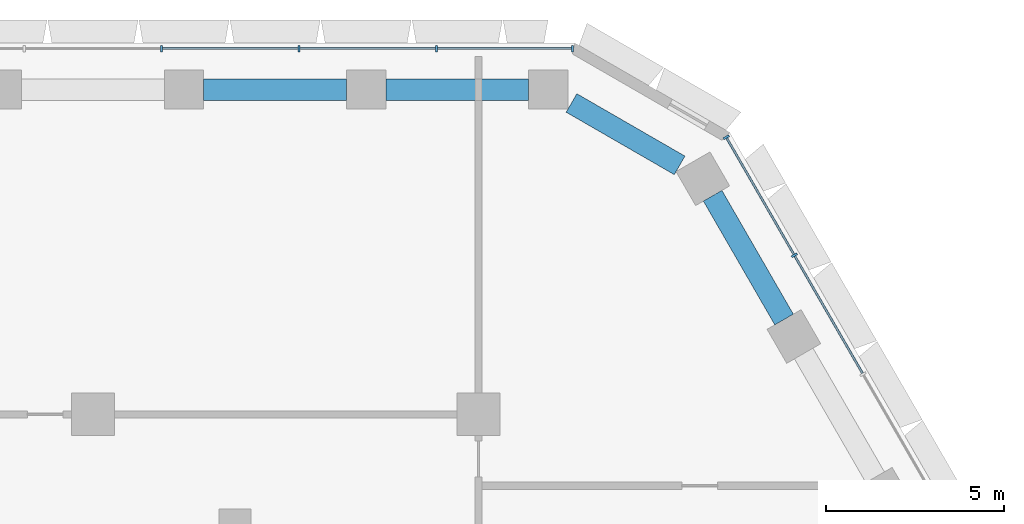
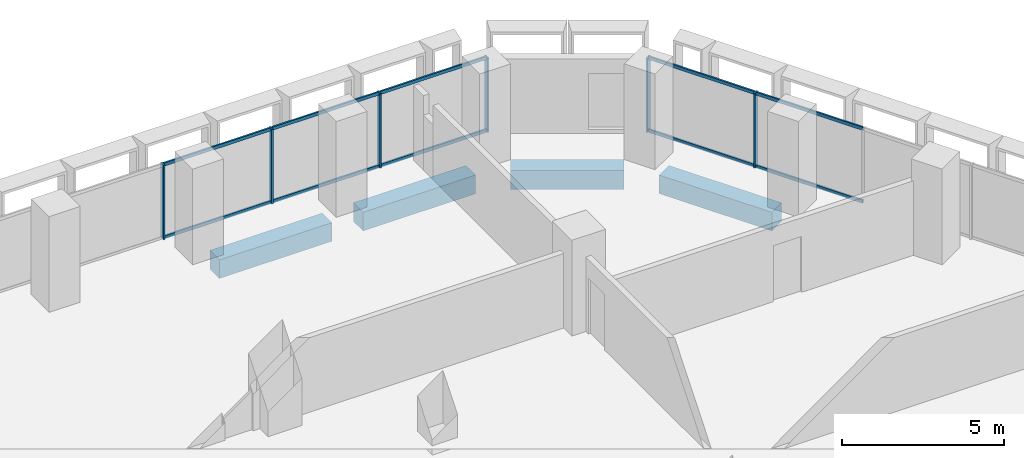
# One storey, part 9 of 21: 16 members, 4 beams, 2 elements without a shape of their own.
"""IFC4 building model written with IfcOpenShell, lengths in metres."""

from ifc_helpers import new_model, si_unit, direction, frame, origin, origin_2d, place, context, subcontext, project, spatial, rectangle, hollow_rectangle, extrude, material, material_profile, profile_set, type_object, element, aggregate, save


model = new_model("IFC4")

# Units and contexts
model_context = context("Model", 3, precision=1e-05, world=origin(), true_north=direction((0.0, 1.0)))
body_context = subcontext(model_context, "Body", "Model", "MODEL_VIEW")
ifc_project = project(units=[si_unit("LENGTHUNIT", "METRE"), si_unit("AREAUNIT", "SQUARE_METRE"), si_unit("VOLUMEUNIT", "CUBIC_METRE"), si_unit("PLANEANGLEUNIT", "RADIAN"), si_unit("MASSUNIT", "GRAM", prefix="KILO")], contexts=[model_context])

# Site, building, storey
site_placement = place(None, origin())
site = spatial("IfcSite", under=ifc_project, at=site_placement, CompositionType="ELEMENT")
building_placement = place(site_placement, origin())
building = spatial("IfcBuilding", under=site, at=building_placement, Name="Beryl Residences", CompositionType="ELEMENT")
storey_placement = place(building_placement, frame((0.0, 0.0, 19.800048828125)))
storey = spatial("IfcBuildingStorey", under=building, at=storey_placement, Name="L05", CompositionType="ELEMENT", Elevation=19.800048828125)

# Curtain wall, members
ifc_material_1 = material(Name="Aluminium and clear glass", Category="aluminium")
curtain_wall_type = type_object("IfcCurtainWallType", Name="CW2 amenity glazing glazed wall", PredefinedType="NOTDEFINED", material=ifc_material_1)
curtain_wall_1_placement = place(storey_placement, origin())
curtain_wall_1 = element("IfcCurtainWall", 1, at=curtain_wall_1_placement, inside=storey, type_object=curtain_wall_type, Name="CW2 L05 N", PredefinedType="NOTDEFINED")
ifc_material_2 = material(Name="Aluminium", Category="aluminium")
ifc_material_profile_1 = material_profile(ifc_material_2, rectangle(XDim=0.06005859375, YDim=0.179931640625, at=origin_2d()))
ifc_profile_set_1 = profile_set([ifc_material_profile_1], Name="Aluminium")
member_type_1 = type_object("IfcMemberType", Name="CW2-M mullion 60 x 180 mm", PredefinedType="MULLION", material=ifc_profile_set_1)
member_1_placement = place(storey_placement, frame((13.43994140625, 28.25, 0.0), z_axis=(0.0, 0.0, 1.0), x_axis=(-1.0, 0.0, 0.0)))
member_1 = element("IfcMember", 2, at=member_1_placement, type_object=member_type_1, Name="CW2 mullion 1", PredefinedType="MULLION", context=body_context, shape_type="SweptSolid", body=[
    extrude(rectangle(XDim=0.06005859375, YDim=0.179931640625, at=origin_2d()), origin(), (0.0, 0.0, 1.0), 2.800048828125),
])
member_2_placement = place(storey_placement, frame((9.621337890625, 28.25, 0.0), z_axis=(0.0, 0.0, 1.0), x_axis=(-1.0, 0.0, 0.0)))
member_2 = element("IfcMember", 3, at=member_2_placement, type_object=member_type_1, Name="CW2 mullion 2", PredefinedType="MULLION", context=body_context, shape_type="SweptSolid", body=[
    extrude(rectangle(XDim=0.06005859375, YDim=0.179931640625, at=origin_2d()), origin(), (0.0, 0.0, 1.0), 2.800048828125),
])
member_3_placement = place(storey_placement, frame((5.77294921875, 28.25, 0.0), z_axis=(0.0, 0.0, 1.0), x_axis=(-1.0, 0.0, 0.0)))
member_3 = element("IfcMember", 4, at=member_3_placement, type_object=member_type_1, Name="CW2 mullion 3", PredefinedType="MULLION", context=body_context, shape_type="SweptSolid", body=[
    extrude(rectangle(XDim=0.06005859375, YDim=0.179931640625, at=origin_2d()), origin(), (0.0, 0.0, 1.0), 2.800048828125),
])
member_4_placement = place(storey_placement, frame((1.92431640625, 28.25, 0.0), z_axis=(0.0, 0.0, 1.0), x_axis=(-1.0, 0.0, 0.0)))
member_4 = element("IfcMember", 5, at=member_4_placement, type_object=member_type_1, Name="CW2 mullion 4", PredefinedType="MULLION", context=body_context, shape_type="SweptSolid", body=[
    extrude(rectangle(XDim=0.06005859375, YDim=0.179931640625, at=origin_2d()), origin(), (0.0, 0.0, 1.0), 2.800048828125),
])

curtain_wall_2_placement = place(storey_placement, origin())
curtain_wall_2 = element("IfcCurtainWall", 6, at=curtain_wall_2_placement, inside=storey, type_object=curtain_wall_type, Name="CW2 L05 NE", PredefinedType="NOTDEFINED")
member_5_placement = place(storey_placement, frame((19.654296875, 22.45703125, 0.0), z_axis=(0.0, 0.0, 1.0), x_axis=(-0.500011643322, 0.866018681405, 0.0)))
member_5 = element("IfcMember", 7, at=member_5_placement, type_object=member_type_1, Name="CW2 mullion 7", PredefinedType="MULLION", context=body_context, shape_type="SweptSolid", body=[
    extrude(rectangle(XDim=0.06005859375, YDim=0.179931640625, at=origin_2d()), origin(), (0.0, 0.0, 1.0), 2.800048828125),
])
member_6_placement = place(storey_placement, frame((17.7451171875, 25.763916015625, 0.0), z_axis=(0.0, 0.0, 1.0), x_axis=(-0.500011643322, 0.866018681405, 0.0)))
member_6 = element("IfcMember", 8, at=member_6_placement, type_object=member_type_1, Name="CW2 mullion 8", PredefinedType="MULLION", context=body_context, shape_type="SweptSolid", body=[
    extrude(rectangle(XDim=0.06005859375, YDim=0.179931640625, at=origin_2d()), origin(), (0.0, 0.0, 1.0), 2.800048828125),
])

# Member
ifc_material_3 = material(Name="Aluminium", Category="aluminium")
ifc_material_profile_2 = material_profile(ifc_material_3, hollow_rectangle(XDim=0.06005859375, YDim=0.1201171875, WallThickness=0.00390625, at=origin_2d()))
ifc_profile_set_2 = profile_set([ifc_material_profile_2], Name="Aluminium")
member_type_2 = type_object("IfcMemberType", Name="CW2-T transom 60 x 120 mm", PredefinedType="USERDEFINED", material=ifc_profile_set_2)
member_7_placement = place(storey_placement, frame((13.409912109375, 28.25, 0.030029296875), z_axis=(-1.0, 0.0, 0.0), x_axis=(0.0, -1.0, 0.0)))
member_7 = element("IfcMember", 9, at=member_7_placement, type_object=member_type_2, Name="CW2 transom 1.1", ObjectType="TRANSOM", PredefinedType="USERDEFINED", context=body_context, shape_type="SweptSolid", body=[
    extrude(hollow_rectangle(XDim=0.06005859375, YDim=0.1201171875, WallThickness=0.00390625, at=origin_2d()), origin(), (0.0, 0.0, 1.0), 3.758544921875),
])

member_8_placement = place(storey_placement, frame((13.409912109375, 28.25, 2.77001953125), z_axis=(-1.0, 0.0, 0.0), x_axis=(0.0, -1.0, 0.0)))
member_8 = element("IfcMember", 10, at=member_8_placement, type_object=member_type_2, Name="CW2 transom 1.2", ObjectType="TRANSOM", PredefinedType="USERDEFINED", context=body_context, shape_type="SweptSolid", body=[
    extrude(hollow_rectangle(XDim=0.06005859375, YDim=0.1201171875, WallThickness=0.00390625, at=origin_2d()), origin(), (0.0, 0.0, 1.0), 3.758544921875),
])

member_9_placement = place(storey_placement, frame((9.59130859375, 28.25, 0.030029296875), z_axis=(-1.0, 0.0, 0.0), x_axis=(0.0, -1.0, 0.0)))
member_9 = element("IfcMember", 11, at=member_9_placement, type_object=member_type_2, Name="CW2 transom 2.1", ObjectType="TRANSOM", PredefinedType="USERDEFINED", context=body_context, shape_type="SweptSolid", body=[
    extrude(hollow_rectangle(XDim=0.06005859375, YDim=0.1201171875, WallThickness=0.00390625, at=origin_2d()), origin(), (0.0, 0.0, 1.0), 3.788330078125),
])

member_10_placement = place(storey_placement, frame((9.59130859375, 28.25, 2.77001953125), z_axis=(-1.0, 0.0, 0.0), x_axis=(0.0, -1.0, 0.0)))
member_10 = element("IfcMember", 12, at=member_10_placement, type_object=member_type_2, Name="CW2 transom 2.2", ObjectType="TRANSOM", PredefinedType="USERDEFINED", context=body_context, shape_type="SweptSolid", body=[
    extrude(hollow_rectangle(XDim=0.06005859375, YDim=0.1201171875, WallThickness=0.00390625, at=origin_2d()), origin(), (0.0, 0.0, 1.0), 3.788330078125),
])

member_11_placement = place(storey_placement, frame((5.742919921875, 28.25, 0.030029296875), z_axis=(-1.0, 0.0, 0.0), x_axis=(0.0, -1.0, 0.0)))
member_11 = element("IfcMember", 13, at=member_11_placement, type_object=member_type_2, Name="CW2 transom 3.1", ObjectType="TRANSOM", PredefinedType="USERDEFINED", context=body_context, shape_type="SweptSolid", body=[
    extrude(hollow_rectangle(XDim=0.06005859375, YDim=0.1201171875, WallThickness=0.00390625, at=origin_2d()), origin(), (0.0, 0.0, 1.0), 3.78857421875),
])

member_12_placement = place(storey_placement, frame((5.742919921875, 28.25, 2.77001953125), z_axis=(-1.0, 0.0, 0.0), x_axis=(0.0, -1.0, 0.0)))
member_12 = element("IfcMember", 14, at=member_12_placement, type_object=member_type_2, Name="CW2 transom 3.2", ObjectType="TRANSOM", PredefinedType="USERDEFINED", context=body_context, shape_type="SweptSolid", body=[
    extrude(hollow_rectangle(XDim=0.06005859375, YDim=0.1201171875, WallThickness=0.00390625, at=origin_2d()), origin(), (0.0, 0.0, 1.0), 3.78857421875),
])

aggregate(curtain_wall_1, [member_1, member_2, member_3, member_4, member_7, member_8, member_9, member_10, member_11, member_12])

member_13_placement = place(storey_placement, frame((21.5634765625, 19.150146484375, 0.030029296875), z_axis=(-0.499999503755, 0.866025690291, 0.0), x_axis=(-0.866025690291, -0.499999503755, 0.0)))
member_13 = element("IfcMember", 15, at=member_13_placement, type_object=member_type_2, Name="CW2 transom 6.1", ObjectType="TRANSOM", PredefinedType="USERDEFINED", context=body_context, shape_type="SweptSolid", body=[
    extrude(hollow_rectangle(XDim=0.06005859375, YDim=0.1201171875, WallThickness=0.00390625, at=origin_2d()), origin(), (0.0, 0.0, 1.0), 3.78857421875),
])

member_14_placement = place(storey_placement, frame((21.5634765625, 19.150146484375, 2.77001953125), z_axis=(-0.499999503755, 0.866025690291, 0.0), x_axis=(-0.866025690291, -0.499999503755, 0.0)))
member_14 = element("IfcMember", 16, at=member_14_placement, type_object=member_type_2, Name="CW2 transom 6.2", ObjectType="TRANSOM", PredefinedType="USERDEFINED", context=body_context, shape_type="SweptSolid", body=[
    extrude(hollow_rectangle(XDim=0.06005859375, YDim=0.1201171875, WallThickness=0.00390625, at=origin_2d()), origin(), (0.0, 0.0, 1.0), 3.78857421875),
])

member_15_placement = place(storey_placement, frame((19.639404296875, 22.483154296875, 0.030029296875), z_axis=(-0.500037327496, 0.866003851672, 0.0), x_axis=(-0.866003851672, -0.500037327496, 0.0)))
member_15 = element("IfcMember", 17, at=member_15_placement, type_object=member_type_2, Name="CW2 transom 7.1", ObjectType="TRANSOM", PredefinedType="USERDEFINED", context=body_context, shape_type="SweptSolid", body=[
    extrude(hollow_rectangle(XDim=0.06005859375, YDim=0.1201171875, WallThickness=0.00390625, at=origin_2d()), origin(), (0.0, 0.0, 1.0), 3.758544921875),
])

member_16_placement = place(storey_placement, frame((19.639404296875, 22.483154296875, 2.77001953125), z_axis=(-0.500037327496, 0.866003851672, 0.0), x_axis=(-0.866003851672, -0.500037327496, 0.0)))
member_16 = element("IfcMember", 18, at=member_16_placement, type_object=member_type_2, Name="CW2 transom 7.2", ObjectType="TRANSOM", PredefinedType="USERDEFINED", context=body_context, shape_type="SweptSolid", body=[
    extrude(hollow_rectangle(XDim=0.06005859375, YDim=0.1201171875, WallThickness=0.00390625, at=origin_2d()), origin(), (0.0, 0.0, 1.0), 3.758544921875),
])

aggregate(curtain_wall_2, [member_5, member_6, member_13, member_14, member_15, member_16])

# Beams
ifc_material_4 = material(Name="Concrete C80/95", Category="concrete")
ifc_material_profile_3 = material_profile(ifc_material_4, rectangle(XDim=0.60009765625, YDim=0.699951171875, at=origin_2d()))
ifc_profile_set_3 = profile_set([ifc_material_profile_3], Name="Concrete C80/95")
beam_type = type_object("IfcBeamType", Name="SB1 spandrel beam 600 x 700 C80/95", PredefinedType="SPANDREL", material=ifc_profile_set_3)
for number, where, z_axis, x_axis, name in (
    (19, (12.208984375, 27.10009765625, -0.699951171875), (-1.0, 0.0, 0.0), (0.0, -1.0, 0.0), "SB1 L05 N-0"),
    (20, (7.10498046875, 27.10009765625, -0.699951171875), (-1.0, 0.0, 0.0), (0.0, -1.0, 0.0), "SB1 L05 N-1"),
):
    element("IfcBeam", number, at=place(storey_placement, frame(where, z_axis=z_axis, x_axis=x_axis)), inside=storey, type_object=beam_type, Name=name, PredefinedType="SPANDREL", context=body_context, shape_type="SweptSolid", body=[
        extrude(rectangle(XDim=0.60009765625, YDim=0.699951171875, at=origin_2d()), origin(), (0.0, 0.0, 1.0), 4.00390625),
    ])
beam_1_placement = place(storey_placement, frame((19.365966796875, 20.656982421875, -0.699951171875), z_axis=(-0.499942357345, 0.866058681229, 0.0), x_axis=(-0.866058681229, -0.499942357345, 0.0)))
element("IfcBeam", 21, at=beam_1_placement, inside=storey, type_object=beam_type, Name="SB1 L05 NE-4", PredefinedType="SPANDREL", context=body_context, shape_type="SweptSolid", body=[
    extrude(rectangle(XDim=0.60009765625, YDim=0.699951171875, at=origin_2d()), origin(), (0.0, 0.0, 1.0), 4.00439453125),
])
beam_2_placement = place(storey_placement, frame((16.43896484375, 24.97607421875, -0.699951171875), z_axis=(-0.866070549782, 0.499921796684, 0.0), x_axis=(-0.499921796684, -0.866070549782, 0.0)))
element("IfcBeam", 22, at=beam_2_placement, inside=storey, type_object=beam_type, Name="SB1 L05 NE-5", PredefinedType="SPANDREL", context=body_context, shape_type="SweptSolid", body=[
    extrude(rectangle(XDim=0.60009765625, YDim=0.699951171875, at=origin_2d()), origin(), (0.0, 0.0, 1.0), 3.49853515625),
])

save(model, "model.ifc")
